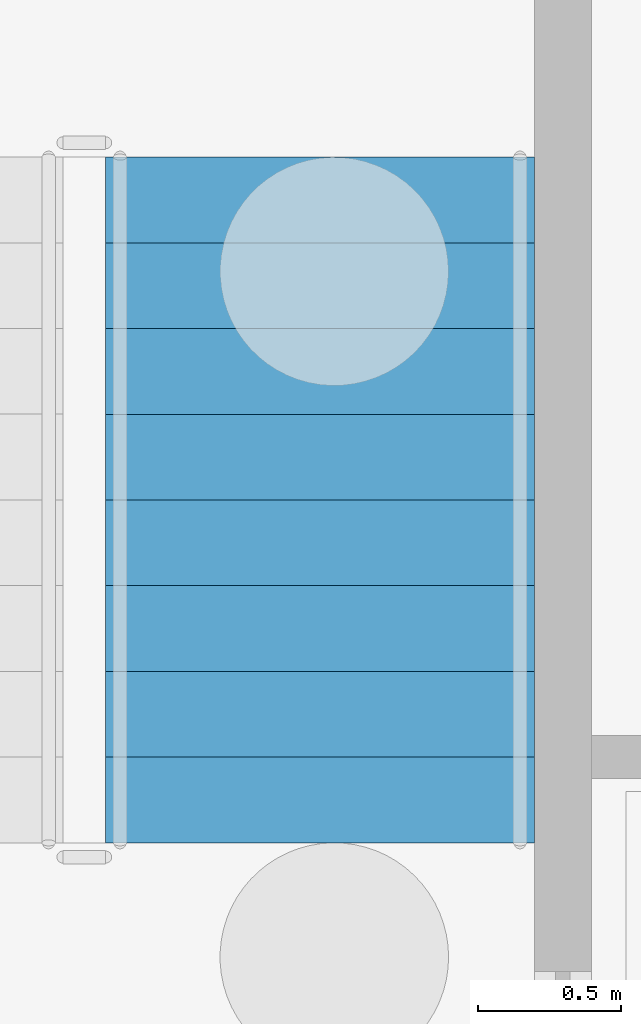
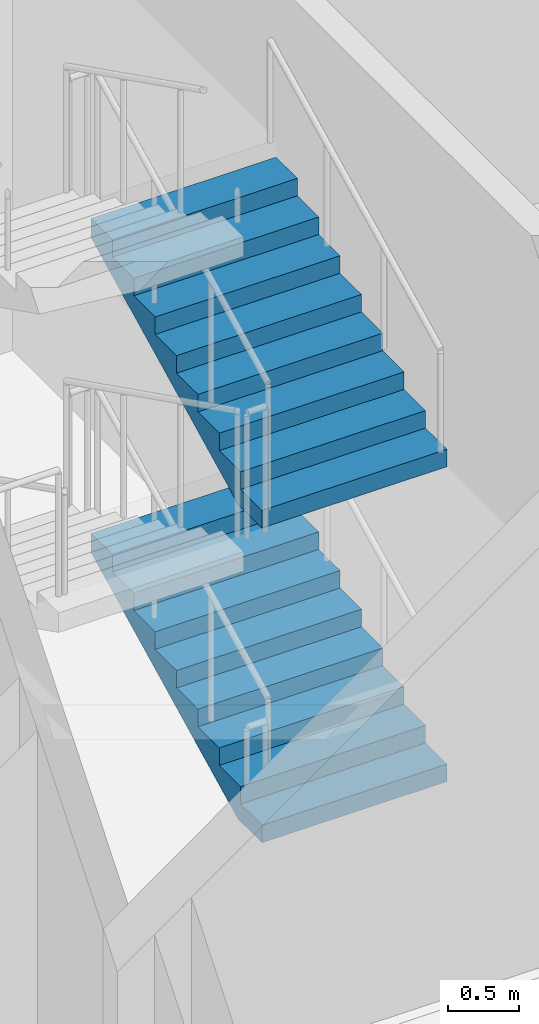
# One storey, part 95 of 129: 2 stair flights, 1 element without a shape of its own.
"""IFC4 building model written with IfcOpenShell, lengths in metres."""

from ifc_helpers import new_model, si_unit, direction, frame, origin, place, context, subcontext, project, spatial, faceted_brep, material, type_object, element, aggregate, save


model = new_model("IFC4")

# Units and contexts
model_context = context("Model", 3, precision=1e-05, world=origin(), true_north=direction((0.0, 1.0)))
body_context = subcontext(model_context, "Body", "Model", "MODEL_VIEW")
ifc_project = project(units=[si_unit("LENGTHUNIT", "METRE"), si_unit("AREAUNIT", "SQUARE_METRE"), si_unit("VOLUMEUNIT", "CUBIC_METRE"), si_unit("PLANEANGLEUNIT", "RADIAN"), si_unit("MASSUNIT", "GRAM", prefix="KILO")], contexts=[model_context])

# Site, building, storey
site_placement = place(None, origin())
site = spatial("IfcSite", under=ifc_project, at=site_placement, CompositionType="ELEMENT")
building_placement = place(site_placement, origin())
building = spatial("IfcBuilding", under=site, at=building_placement, Name="Kiln Court Media Centre", CompositionType="ELEMENT")
storey_placement = place(building_placement, origin())
storey = spatial("IfcBuildingStorey", under=building, at=storey_placement, Name="L00", CompositionType="ELEMENT", Elevation=0.0)

# Stair, stair flights
ifc_material_1 = material(Name="Concrete C40/50", Category="concrete")
stair_type = type_object("IfcStairType", Name="Concrete C40/50 dog-leg stair 1500 wide, 150 riser", PredefinedType="HALF_TURN_STAIR", material=ifc_material_1)
stair_placement = place(storey_placement, origin())
stair = element("IfcStair", 1, at=stair_placement, inside=storey, type_object=stair_type, Name="ST-16 L00", PredefinedType="HALF_TURN_STAIR")
ifc_material_2 = material(Name="Concrete C40/50", Category="concrete")
stair_flight_type = type_object("IfcStairFlightType", Name="Concrete C40/50 stair flight 1500 wide, 150 riser, 300 going", PredefinedType="STRAIGHT", material=ifc_material_2)
stair_flight_1_placement = place(storey_placement, frame((129.25, 18.89990234375, 0.0), z_axis=(0.0, 0.0, 1.0), x_axis=(0.0, 1.0, 0.0)))
stair_flight_1 = element("IfcStairFlight", 2, at=stair_flight_1_placement, type_object=stair_flight_type, Name="L00-ST-5015 flight 5060", NumberOfRisers=9, NumberOfTreads=8, PredefinedType="STRAIGHT", RiserHeight=0.15, TreadLength=0.3, context=body_context, shape_type="Brep", body=[
    faceted_brep([(0.335205078125, -0.75, 0.0), (2.39990234375, -0.75, 1.032470703125), (2.39990234375, -0.75, 1.199951171875), (2.10009765625, -0.75, 1.199951171875), (2.10009765625, -0.75, 1.050048828125), (1.800048828125, -0.75, 1.050048828125), (1.800048828125, -0.75, 0.89990234375), (1.5, -0.75, 0.89990234375), (1.5, -0.75, 0.75), (1.199951171875, -0.75, 0.75), (1.199951171875, -0.75, 0.60009765625), (0.89990234375, -0.75, 0.60009765625), (0.89990234375, -0.75, 0.449951171875), (0.60009765625, -0.75, 0.449951171875), (0.60009765625, -0.75, 0.300048828125), (0.300048828125, -0.75, 0.300048828125), (0.300048828125, -0.75, 0.14990234375), (0.0, -0.75, 0.14990234375), (0.0, -0.75, 0.0), (0.0, 0.75, 0.0), (0.0, 0.75, 0.14990234375), (0.300048828125, 0.75, 0.14990234375), (0.300048828125, 0.75, 0.300048828125), (0.60009765625, 0.75, 0.300048828125), (0.60009765625, 0.75, 0.449951171875), (0.89990234375, 0.75, 0.449951171875), (0.89990234375, 0.75, 0.60009765625), (1.199951171875, 0.75, 0.60009765625), (1.199951171875, 0.75, 0.75), (1.5, 0.75, 0.75), (1.5, 0.75, 0.89990234375), (1.800048828125, 0.75, 0.89990234375), (1.800048828125, 0.75, 1.050048828125), (2.10009765625, 0.75, 1.050048828125), (2.10009765625, 0.75, 1.199951171875), (2.39990234375, 0.75, 1.199951171875), (2.39990234375, 0.75, 1.032470703125), (0.335205078125, 0.75, 0.0), (2.39990234375, 0.10009765625, 1.032470703125), (0.335205078125, 0.10009765625, 0.0), (2.39990234375, 0.080078125, 1.032470703125), (0.335205078125, 0.080078125, 0.0), (2.39990234375, 0.06005859375, 1.032470703125), (0.335205078125, 0.06005859375, 0.0), (2.39990234375, 0.0400390625, 1.032470703125), (0.335205078125, 0.0400390625, 0.0), (2.39990234375, 0.02001953125, 1.032470703125), (0.335205078125, 0.02001953125, 0.0), (2.39990234375, 0.0, 1.032470703125), (0.335205078125, 0.0, 0.0), (2.39990234375, -0.02001953125, 1.032470703125), (0.335205078125, -0.02001953125, 0.0), (2.39990234375, -0.0400390625, 1.032470703125), (0.335205078125, -0.0400390625, 0.0), (2.39990234375, -0.06005859375, 1.032470703125), (0.335205078125, -0.06005859375, 0.0), (2.39990234375, -0.080078125, 1.032470703125), (0.335205078125, -0.080078125, 0.0), (2.39990234375, -0.10009765625, 1.032470703125), (0.335205078125, -0.10009765625, 0.0), (2.39990234375, 0.10009765625, 1.199951171875), (2.39990234375, 0.080078125, 1.199951171875), (2.39990234375, 0.06005859375, 1.199951171875), (2.39990234375, 0.0400390625, 1.199951171875), (2.39990234375, 0.02001953125, 1.199951171875), (2.39990234375, 0.0, 1.199951171875), (2.39990234375, -0.02001953125, 1.199951171875), (2.39990234375, -0.0400390625, 1.199951171875), (2.39990234375, -0.06005859375, 1.199951171875), (2.39990234375, -0.080078125, 1.199951171875), (2.39990234375, -0.10009765625, 1.199951171875), (2.10009765625, 0.10009765625, 1.199951171875), (2.10009765625, 0.080078125, 1.199951171875), (2.10009765625, 0.06005859375, 1.199951171875), (2.10009765625, 0.0400390625, 1.199951171875), (2.10009765625, 0.02001953125, 1.199951171875), (2.10009765625, 0.0, 1.199951171875), (2.10009765625, -0.02001953125, 1.199951171875), (2.10009765625, -0.0400390625, 1.199951171875), (2.10009765625, -0.06005859375, 1.199951171875), (2.10009765625, -0.080078125, 1.199951171875), (2.10009765625, -0.10009765625, 1.199951171875), (2.10009765625, 0.10009765625, 1.050048828125), (2.10009765625, 0.080078125, 1.050048828125), (2.10009765625, 0.06005859375, 1.050048828125), (2.10009765625, 0.0400390625, 1.050048828125), (2.10009765625, 0.02001953125, 1.050048828125), (2.10009765625, 0.0, 1.050048828125), (2.10009765625, -0.02001953125, 1.050048828125), (2.10009765625, -0.0400390625, 1.050048828125), (2.10009765625, -0.06005859375, 1.050048828125), (2.10009765625, -0.080078125, 1.050048828125), (2.10009765625, -0.10009765625, 1.050048828125), (1.800048828125, 0.10009765625, 1.050048828125), (1.800048828125, 0.080078125, 1.050048828125), (1.800048828125, 0.06005859375, 1.050048828125), (1.800048828125, 0.0400390625, 1.050048828125), (1.800048828125, 0.02001953125, 1.050048828125), (1.800048828125, 0.0, 1.050048828125), (1.800048828125, -0.02001953125, 1.050048828125), (1.800048828125, -0.0400390625, 1.050048828125), (1.800048828125, -0.06005859375, 1.050048828125), (1.800048828125, -0.080078125, 1.050048828125), (1.800048828125, -0.10009765625, 1.050048828125), (1.800048828125, 0.10009765625, 0.89990234375), (1.800048828125, 0.080078125, 0.89990234375), (1.800048828125, 0.06005859375, 0.89990234375), (1.800048828125, 0.0400390625, 0.89990234375), (1.800048828125, 0.02001953125, 0.89990234375), (1.800048828125, 0.0, 0.89990234375), (1.800048828125, -0.02001953125, 0.89990234375), (1.800048828125, -0.0400390625, 0.89990234375), (1.800048828125, -0.06005859375, 0.89990234375), (1.800048828125, -0.080078125, 0.89990234375), (1.800048828125, -0.10009765625, 0.89990234375), (1.5, 0.10009765625, 0.89990234375), (1.5, 0.080078125, 0.89990234375), (1.5, 0.06005859375, 0.89990234375), (1.5, 0.0400390625, 0.89990234375), (1.5, 0.02001953125, 0.89990234375), (1.5, 0.0, 0.89990234375), (1.5, -0.02001953125, 0.89990234375), (1.5, -0.0400390625, 0.89990234375), (1.5, -0.06005859375, 0.89990234375), (1.5, -0.080078125, 0.89990234375), (1.5, -0.10009765625, 0.89990234375), (1.5, 0.10009765625, 0.75), (1.5, 0.080078125, 0.75), (1.5, 0.06005859375, 0.75), (1.5, 0.0400390625, 0.75), (1.5, 0.02001953125, 0.75), (1.5, 0.0, 0.75), (1.5, -0.02001953125, 0.75), (1.5, -0.0400390625, 0.75), (1.5, -0.06005859375, 0.75), (1.5, -0.080078125, 0.75), (1.5, -0.10009765625, 0.75), (1.199951171875, 0.10009765625, 0.75), (1.199951171875, 0.080078125, 0.75), (1.199951171875, 0.06005859375, 0.75), (1.199951171875, 0.0400390625, 0.75), (1.199951171875, 0.02001953125, 0.75), (1.199951171875, 0.0, 0.75), (1.199951171875, -0.02001953125, 0.75), (1.199951171875, -0.0400390625, 0.75), (1.199951171875, -0.06005859375, 0.75), (1.199951171875, -0.080078125, 0.75), (1.199951171875, -0.10009765625, 0.75), (1.199951171875, 0.10009765625, 0.60009765625), (1.199951171875, 0.080078125, 0.60009765625), (1.199951171875, 0.06005859375, 0.60009765625), (1.199951171875, 0.0400390625, 0.60009765625), (1.199951171875, 0.02001953125, 0.60009765625), (1.199951171875, 0.0, 0.60009765625), (1.199951171875, -0.02001953125, 0.60009765625), (1.199951171875, -0.0400390625, 0.60009765625), (1.199951171875, -0.06005859375, 0.60009765625), (1.199951171875, -0.080078125, 0.60009765625), (1.199951171875, -0.10009765625, 0.60009765625), (0.89990234375, 0.10009765625, 0.60009765625), (0.89990234375, 0.080078125, 0.60009765625), (0.89990234375, 0.06005859375, 0.60009765625), (0.89990234375, 0.0400390625, 0.60009765625), (0.89990234375, 0.02001953125, 0.60009765625), (0.89990234375, 0.0, 0.60009765625), (0.89990234375, -0.02001953125, 0.60009765625), (0.89990234375, -0.0400390625, 0.60009765625), (0.89990234375, -0.06005859375, 0.60009765625), (0.89990234375, -0.080078125, 0.60009765625), (0.89990234375, -0.10009765625, 0.60009765625), (0.89990234375, 0.10009765625, 0.449951171875), (0.89990234375, 0.080078125, 0.449951171875), (0.89990234375, 0.06005859375, 0.449951171875), (0.89990234375, 0.0400390625, 0.449951171875), (0.89990234375, 0.02001953125, 0.449951171875), (0.89990234375, 0.0, 0.449951171875), (0.89990234375, -0.02001953125, 0.449951171875), (0.89990234375, -0.0400390625, 0.449951171875), (0.89990234375, -0.06005859375, 0.449951171875), (0.89990234375, -0.080078125, 0.449951171875), (0.89990234375, -0.10009765625, 0.449951171875), (0.60009765625, 0.10009765625, 0.449951171875), (0.60009765625, 0.080078125, 0.449951171875), (0.60009765625, 0.06005859375, 0.449951171875), (0.60009765625, 0.0400390625, 0.449951171875), (0.60009765625, 0.02001953125, 0.449951171875), (0.60009765625, 0.0, 0.449951171875), (0.60009765625, -0.02001953125, 0.449951171875), (0.60009765625, -0.0400390625, 0.449951171875), (0.60009765625, -0.06005859375, 0.449951171875), (0.60009765625, -0.080078125, 0.449951171875), (0.60009765625, -0.10009765625, 0.449951171875), (0.60009765625, 0.10009765625, 0.300048828125), (0.60009765625, 0.080078125, 0.300048828125), (0.60009765625, 0.06005859375, 0.300048828125), (0.60009765625, 0.0400390625, 0.300048828125), (0.60009765625, 0.02001953125, 0.300048828125), (0.60009765625, 0.0, 0.300048828125), (0.60009765625, -0.02001953125, 0.300048828125), (0.60009765625, -0.0400390625, 0.300048828125), (0.60009765625, -0.06005859375, 0.300048828125), (0.60009765625, -0.080078125, 0.300048828125), (0.60009765625, -0.10009765625, 0.300048828125), (0.300048828125, 0.10009765625, 0.300048828125), (0.300048828125, 0.080078125, 0.300048828125), (0.300048828125, 0.06005859375, 0.300048828125), (0.300048828125, 0.0400390625, 0.300048828125), (0.300048828125, 0.02001953125, 0.300048828125), (0.300048828125, 0.0, 0.300048828125), (0.300048828125, -0.02001953125, 0.300048828125), (0.300048828125, -0.0400390625, 0.300048828125), (0.300048828125, -0.06005859375, 0.300048828125), (0.300048828125, -0.080078125, 0.300048828125), (0.300048828125, -0.10009765625, 0.300048828125), (0.300048828125, 0.10009765625, 0.14990234375), (0.300048828125, 0.080078125, 0.14990234375), (0.300048828125, 0.06005859375, 0.14990234375), (0.300048828125, 0.0400390625, 0.14990234375), (0.300048828125, 0.02001953125, 0.14990234375), (0.300048828125, 0.0, 0.14990234375), (0.300048828125, -0.02001953125, 0.14990234375), (0.300048828125, -0.0400390625, 0.14990234375), (0.300048828125, -0.06005859375, 0.14990234375), (0.300048828125, -0.080078125, 0.14990234375), (0.300048828125, -0.10009765625, 0.14990234375), (0.0, 0.10009765625, 0.14990234375), (0.0, 0.080078125, 0.14990234375), (0.0, 0.06005859375, 0.14990234375), (0.0, 0.0400390625, 0.14990234375), (0.0, 0.02001953125, 0.14990234375), (0.0, 0.0, 0.14990234375), (0.0, -0.02001953125, 0.14990234375), (0.0, -0.0400390625, 0.14990234375), (0.0, -0.06005859375, 0.14990234375), (0.0, -0.080078125, 0.14990234375), (0.0, -0.10009765625, 0.14990234375), (0.0, 0.10009765625, 0.0), (0.0, 0.080078125, 0.0), (0.0, 0.06005859375, 0.0), (0.0, 0.0400390625, 0.0), (0.0, 0.02001953125, 0.0), (0.0, 0.0, 0.0), (0.0, -0.02001953125, 0.0), (0.0, -0.0400390625, 0.0), (0.0, -0.06005859375, 0.0), (0.0, -0.080078125, 0.0), (0.0, -0.10009765625, 0.0)], [[[0, 1, 2, 3, 4, 5, 6, 7, 8, 9, 10, 11, 12, 13, 14, 15, 16, 17, 18]], [[19, 20, 21, 22, 23, 24, 25, 26, 27, 28, 29, 30, 31, 32, 33, 34, 35, 36, 37]], [[37, 36, 38, 39]], [[39, 38, 40, 41]], [[41, 40, 42, 43]], [[43, 42, 44, 45]], [[45, 44, 46, 47]], [[47, 46, 48, 49]], [[49, 48, 50, 51]], [[51, 50, 52, 53]], [[53, 52, 54, 55]], [[55, 54, 56, 57]], [[57, 56, 58, 59]], [[59, 58, 1, 0]], [[36, 35, 60, 38]], [[38, 60, 61, 40]], [[40, 61, 62, 42]], [[42, 62, 63, 44]], [[44, 63, 64, 46]], [[46, 64, 65, 48]], [[48, 65, 66, 50]], [[50, 66, 67, 52]], [[52, 67, 68, 54]], [[54, 68, 69, 56]], [[56, 69, 70, 58]], [[58, 70, 2, 1]], [[35, 34, 71, 60]], [[60, 71, 72, 61]], [[61, 72, 73, 62]], [[62, 73, 74, 63]], [[63, 74, 75, 64]], [[64, 75, 76, 65]], [[65, 76, 77, 66]], [[66, 77, 78, 67]], [[67, 78, 79, 68]], [[68, 79, 80, 69]], [[69, 80, 81, 70]], [[70, 81, 3, 2]], [[34, 33, 82, 71]], [[71, 82, 83, 72]], [[72, 83, 84, 73]], [[73, 84, 85, 74]], [[74, 85, 86, 75]], [[75, 86, 87, 76]], [[76, 87, 88, 77]], [[77, 88, 89, 78]], [[78, 89, 90, 79]], [[79, 90, 91, 80]], [[80, 91, 92, 81]], [[81, 92, 4, 3]], [[33, 32, 93, 82]], [[82, 93, 94, 83]], [[83, 94, 95, 84]], [[84, 95, 96, 85]], [[85, 96, 97, 86]], [[86, 97, 98, 87]], [[87, 98, 99, 88]], [[88, 99, 100, 89]], [[89, 100, 101, 90]], [[90, 101, 102, 91]], [[91, 102, 103, 92]], [[92, 103, 5, 4]], [[32, 31, 104, 93]], [[93, 104, 105, 94]], [[94, 105, 106, 95]], [[95, 106, 107, 96]], [[96, 107, 108, 97]], [[97, 108, 109, 98]], [[98, 109, 110, 99]], [[99, 110, 111, 100]], [[100, 111, 112, 101]], [[101, 112, 113, 102]], [[102, 113, 114, 103]], [[103, 114, 6, 5]], [[31, 30, 115, 104]], [[104, 115, 116, 105]], [[105, 116, 117, 106]], [[106, 117, 118, 107]], [[107, 118, 119, 108]], [[108, 119, 120, 109]], [[109, 120, 121, 110]], [[110, 121, 122, 111]], [[111, 122, 123, 112]], [[112, 123, 124, 113]], [[113, 124, 125, 114]], [[114, 125, 7, 6]], [[30, 29, 126, 115]], [[115, 126, 127, 116]], [[116, 127, 128, 117]], [[117, 128, 129, 118]], [[118, 129, 130, 119]], [[119, 130, 131, 120]], [[120, 131, 132, 121]], [[121, 132, 133, 122]], [[122, 133, 134, 123]], [[123, 134, 135, 124]], [[124, 135, 136, 125]], [[125, 136, 8, 7]], [[29, 28, 137, 126]], [[126, 137, 138, 127]], [[127, 138, 139, 128]], [[128, 139, 140, 129]], [[129, 140, 141, 130]], [[130, 141, 142, 131]], [[131, 142, 143, 132]], [[132, 143, 144, 133]], [[133, 144, 145, 134]], [[134, 145, 146, 135]], [[135, 146, 147, 136]], [[136, 147, 9, 8]], [[28, 27, 148, 137]], [[137, 148, 149, 138]], [[138, 149, 150, 139]], [[139, 150, 151, 140]], [[140, 151, 152, 141]], [[141, 152, 153, 142]], [[142, 153, 154, 143]], [[143, 154, 155, 144]], [[144, 155, 156, 145]], [[145, 156, 157, 146]], [[146, 157, 158, 147]], [[147, 158, 10, 9]], [[27, 26, 159, 148]], [[148, 159, 160, 149]], [[149, 160, 161, 150]], [[150, 161, 162, 151]], [[151, 162, 163, 152]], [[152, 163, 164, 153]], [[153, 164, 165, 154]], [[154, 165, 166, 155]], [[155, 166, 167, 156]], [[156, 167, 168, 157]], [[157, 168, 169, 158]], [[158, 169, 11, 10]], [[26, 25, 170, 159]], [[159, 170, 171, 160]], [[160, 171, 172, 161]], [[161, 172, 173, 162]], [[162, 173, 174, 163]], [[163, 174, 175, 164]], [[164, 175, 176, 165]], [[165, 176, 177, 166]], [[166, 177, 178, 167]], [[167, 178, 179, 168]], [[168, 179, 180, 169]], [[169, 180, 12, 11]], [[25, 24, 181, 170]], [[170, 181, 182, 171]], [[171, 182, 183, 172]], [[172, 183, 184, 173]], [[173, 184, 185, 174]], [[174, 185, 186, 175]], [[175, 186, 187, 176]], [[176, 187, 188, 177]], [[177, 188, 189, 178]], [[178, 189, 190, 179]], [[179, 190, 191, 180]], [[180, 191, 13, 12]], [[24, 23, 192, 181]], [[181, 192, 193, 182]], [[182, 193, 194, 183]], [[183, 194, 195, 184]], [[184, 195, 196, 185]], [[185, 196, 197, 186]], [[186, 197, 198, 187]], [[187, 198, 199, 188]], [[188, 199, 200, 189]], [[189, 200, 201, 190]], [[190, 201, 202, 191]], [[191, 202, 14, 13]], [[23, 22, 203, 192]], [[192, 203, 204, 193]], [[193, 204, 205, 194]], [[194, 205, 206, 195]], [[195, 206, 207, 196]], [[196, 207, 208, 197]], [[197, 208, 209, 198]], [[198, 209, 210, 199]], [[199, 210, 211, 200]], [[200, 211, 212, 201]], [[201, 212, 213, 202]], [[202, 213, 15, 14]], [[22, 21, 214, 203]], [[203, 214, 215, 204]], [[204, 215, 216, 205]], [[205, 216, 217, 206]], [[206, 217, 218, 207]], [[207, 218, 219, 208]], [[208, 219, 220, 209]], [[209, 220, 221, 210]], [[210, 221, 222, 211]], [[211, 222, 223, 212]], [[212, 223, 224, 213]], [[213, 224, 16, 15]], [[21, 20, 225, 214]], [[214, 225, 226, 215]], [[215, 226, 227, 216]], [[216, 227, 228, 217]], [[217, 228, 229, 218]], [[218, 229, 230, 219]], [[219, 230, 231, 220]], [[220, 231, 232, 221]], [[221, 232, 233, 222]], [[222, 233, 234, 223]], [[223, 234, 235, 224]], [[224, 235, 17, 16]], [[20, 19, 236, 225]], [[225, 236, 237, 226]], [[226, 237, 238, 227]], [[227, 238, 239, 228]], [[228, 239, 240, 229]], [[229, 240, 241, 230]], [[230, 241, 242, 231]], [[231, 242, 243, 232]], [[232, 243, 244, 233]], [[233, 244, 245, 234]], [[234, 245, 246, 235]], [[235, 246, 18, 17]], [[19, 37, 39, 236]], [[236, 39, 41, 237]], [[237, 41, 43, 238]], [[238, 43, 45, 239]], [[239, 45, 47, 240]], [[240, 47, 49, 241]], [[241, 49, 51, 242]], [[242, 51, 53, 243]], [[243, 53, 55, 244]], [[244, 55, 57, 245]], [[245, 57, 59, 246]], [[246, 59, 0, 18]]]),
])
stair_flight_2_placement = place(storey_placement, frame((129.25, 18.89990234375, 2.699951171875), z_axis=(0.0, 0.0, 1.0), x_axis=(0.0, 1.0, 0.0)))
stair_flight_2 = element("IfcStairFlight", 3, at=stair_flight_2_placement, type_object=stair_flight_type, Name="L00-ST-5015 flight 5062", NumberOfRisers=9, NumberOfTreads=8, PredefinedType="STRAIGHT", RiserHeight=0.15, TreadLength=0.3, context=body_context, shape_type="Brep", body=[
    faceted_brep([(0.335205078125, -0.75, 0.0), (2.39990234375, -0.75, 1.032470703125), (2.39990234375, -0.75, 1.199951171875), (2.10009765625, -0.75, 1.199951171875), (2.10009765625, -0.75, 1.050048828125), (1.800048828125, -0.75, 1.050048828125), (1.800048828125, -0.75, 0.89990234375), (1.5, -0.75, 0.89990234375), (1.5, -0.75, 0.75), (1.199951171875, -0.75, 0.75), (1.199951171875, -0.75, 0.60009765625), (0.89990234375, -0.75, 0.60009765625), (0.89990234375, -0.75, 0.449951171875), (0.60009765625, -0.75, 0.449951171875), (0.60009765625, -0.75, 0.300048828125), (0.300048828125, -0.75, 0.300048828125), (0.300048828125, -0.75, 0.14990234375), (0.0, -0.75, 0.14990234375), (0.0, -0.75, 0.0), (0.0, 0.75, 0.0), (0.0, 0.75, 0.14990234375), (0.300048828125, 0.75, 0.14990234375), (0.300048828125, 0.75, 0.300048828125), (0.60009765625, 0.75, 0.300048828125), (0.60009765625, 0.75, 0.449951171875), (0.89990234375, 0.75, 0.449951171875), (0.89990234375, 0.75, 0.60009765625), (1.199951171875, 0.75, 0.60009765625), (1.199951171875, 0.75, 0.75), (1.5, 0.75, 0.75), (1.5, 0.75, 0.89990234375), (1.800048828125, 0.75, 0.89990234375), (1.800048828125, 0.75, 1.050048828125), (2.10009765625, 0.75, 1.050048828125), (2.10009765625, 0.75, 1.199951171875), (2.39990234375, 0.75, 1.199951171875), (2.39990234375, 0.75, 1.032470703125), (0.335205078125, 0.75, 0.0), (2.39990234375, 0.10009765625, 1.032470703125), (0.335205078125, 0.10009765625, 0.0), (2.39990234375, 0.080078125, 1.032470703125), (0.335205078125, 0.080078125, 0.0), (2.39990234375, 0.06005859375, 1.032470703125), (0.335205078125, 0.06005859375, 0.0), (2.39990234375, 0.0400390625, 1.032470703125), (0.335205078125, 0.0400390625, 0.0), (2.39990234375, 0.02001953125, 1.032470703125), (0.335205078125, 0.02001953125, 0.0), (2.39990234375, 0.0, 1.032470703125), (0.335205078125, 0.0, 0.0), (2.39990234375, -0.02001953125, 1.032470703125), (0.335205078125, -0.02001953125, 0.0), (2.39990234375, -0.0400390625, 1.032470703125), (0.335205078125, -0.0400390625, 0.0), (2.39990234375, -0.06005859375, 1.032470703125), (0.335205078125, -0.06005859375, 0.0), (2.39990234375, -0.080078125, 1.032470703125), (0.335205078125, -0.080078125, 0.0), (2.39990234375, -0.10009765625, 1.032470703125), (0.335205078125, -0.10009765625, 0.0), (2.39990234375, 0.10009765625, 1.199951171875), (2.39990234375, 0.080078125, 1.199951171875), (2.39990234375, 0.06005859375, 1.199951171875), (2.39990234375, 0.0400390625, 1.199951171875), (2.39990234375, 0.02001953125, 1.199951171875), (2.39990234375, 0.0, 1.199951171875), (2.39990234375, -0.02001953125, 1.199951171875), (2.39990234375, -0.0400390625, 1.199951171875), (2.39990234375, -0.06005859375, 1.199951171875), (2.39990234375, -0.080078125, 1.199951171875), (2.39990234375, -0.10009765625, 1.199951171875), (2.10009765625, 0.10009765625, 1.199951171875), (2.10009765625, 0.080078125, 1.199951171875), (2.10009765625, 0.06005859375, 1.199951171875), (2.10009765625, 0.0400390625, 1.199951171875), (2.10009765625, 0.02001953125, 1.199951171875), (2.10009765625, 0.0, 1.199951171875), (2.10009765625, -0.02001953125, 1.199951171875), (2.10009765625, -0.0400390625, 1.199951171875), (2.10009765625, -0.06005859375, 1.199951171875), (2.10009765625, -0.080078125, 1.199951171875), (2.10009765625, -0.10009765625, 1.199951171875), (2.10009765625, 0.10009765625, 1.050048828125), (2.10009765625, 0.080078125, 1.050048828125), (2.10009765625, 0.06005859375, 1.050048828125), (2.10009765625, 0.0400390625, 1.050048828125), (2.10009765625, 0.02001953125, 1.050048828125), (2.10009765625, 0.0, 1.050048828125), (2.10009765625, -0.02001953125, 1.050048828125), (2.10009765625, -0.0400390625, 1.050048828125), (2.10009765625, -0.06005859375, 1.050048828125), (2.10009765625, -0.080078125, 1.050048828125), (2.10009765625, -0.10009765625, 1.050048828125), (1.800048828125, 0.10009765625, 1.050048828125), (1.800048828125, 0.080078125, 1.050048828125), (1.800048828125, 0.06005859375, 1.050048828125), (1.800048828125, 0.0400390625, 1.050048828125), (1.800048828125, 0.02001953125, 1.050048828125), (1.800048828125, 0.0, 1.050048828125), (1.800048828125, -0.02001953125, 1.050048828125), (1.800048828125, -0.0400390625, 1.050048828125), (1.800048828125, -0.06005859375, 1.050048828125), (1.800048828125, -0.080078125, 1.050048828125), (1.800048828125, -0.10009765625, 1.050048828125), (1.800048828125, 0.10009765625, 0.89990234375), (1.800048828125, 0.080078125, 0.89990234375), (1.800048828125, 0.06005859375, 0.89990234375), (1.800048828125, 0.0400390625, 0.89990234375), (1.800048828125, 0.02001953125, 0.89990234375), (1.800048828125, 0.0, 0.89990234375), (1.800048828125, -0.02001953125, 0.89990234375), (1.800048828125, -0.0400390625, 0.89990234375), (1.800048828125, -0.06005859375, 0.89990234375), (1.800048828125, -0.080078125, 0.89990234375), (1.800048828125, -0.10009765625, 0.89990234375), (1.5, 0.10009765625, 0.89990234375), (1.5, 0.080078125, 0.89990234375), (1.5, 0.06005859375, 0.89990234375), (1.5, 0.0400390625, 0.89990234375), (1.5, 0.02001953125, 0.89990234375), (1.5, 0.0, 0.89990234375), (1.5, -0.02001953125, 0.89990234375), (1.5, -0.0400390625, 0.89990234375), (1.5, -0.06005859375, 0.89990234375), (1.5, -0.080078125, 0.89990234375), (1.5, -0.10009765625, 0.89990234375), (1.5, 0.10009765625, 0.75), (1.5, 0.080078125, 0.75), (1.5, 0.06005859375, 0.75), (1.5, 0.0400390625, 0.75), (1.5, 0.02001953125, 0.75), (1.5, 0.0, 0.75), (1.5, -0.02001953125, 0.75), (1.5, -0.0400390625, 0.75), (1.5, -0.06005859375, 0.75), (1.5, -0.080078125, 0.75), (1.5, -0.10009765625, 0.75), (1.199951171875, 0.10009765625, 0.75), (1.199951171875, 0.080078125, 0.75), (1.199951171875, 0.06005859375, 0.75), (1.199951171875, 0.0400390625, 0.75), (1.199951171875, 0.02001953125, 0.75), (1.199951171875, 0.0, 0.75), (1.199951171875, -0.02001953125, 0.75), (1.199951171875, -0.0400390625, 0.75), (1.199951171875, -0.06005859375, 0.75), (1.199951171875, -0.080078125, 0.75), (1.199951171875, -0.10009765625, 0.75), (1.199951171875, 0.10009765625, 0.60009765625), (1.199951171875, 0.080078125, 0.60009765625), (1.199951171875, 0.06005859375, 0.60009765625), (1.199951171875, 0.0400390625, 0.60009765625), (1.199951171875, 0.02001953125, 0.60009765625), (1.199951171875, 0.0, 0.60009765625), (1.199951171875, -0.02001953125, 0.60009765625), (1.199951171875, -0.0400390625, 0.60009765625), (1.199951171875, -0.06005859375, 0.60009765625), (1.199951171875, -0.080078125, 0.60009765625), (1.199951171875, -0.10009765625, 0.60009765625), (0.89990234375, 0.10009765625, 0.60009765625), (0.89990234375, 0.080078125, 0.60009765625), (0.89990234375, 0.06005859375, 0.60009765625), (0.89990234375, 0.0400390625, 0.60009765625), (0.89990234375, 0.02001953125, 0.60009765625), (0.89990234375, 0.0, 0.60009765625), (0.89990234375, -0.02001953125, 0.60009765625), (0.89990234375, -0.0400390625, 0.60009765625), (0.89990234375, -0.06005859375, 0.60009765625), (0.89990234375, -0.080078125, 0.60009765625), (0.89990234375, -0.10009765625, 0.60009765625), (0.89990234375, 0.10009765625, 0.449951171875), (0.89990234375, 0.080078125, 0.449951171875), (0.89990234375, 0.06005859375, 0.449951171875), (0.89990234375, 0.0400390625, 0.449951171875), (0.89990234375, 0.02001953125, 0.449951171875), (0.89990234375, 0.0, 0.449951171875), (0.89990234375, -0.02001953125, 0.449951171875), (0.89990234375, -0.0400390625, 0.449951171875), (0.89990234375, -0.06005859375, 0.449951171875), (0.89990234375, -0.080078125, 0.449951171875), (0.89990234375, -0.10009765625, 0.449951171875), (0.60009765625, 0.10009765625, 0.449951171875), (0.60009765625, 0.080078125, 0.449951171875), (0.60009765625, 0.06005859375, 0.449951171875), (0.60009765625, 0.0400390625, 0.449951171875), (0.60009765625, 0.02001953125, 0.449951171875), (0.60009765625, 0.0, 0.449951171875), (0.60009765625, -0.02001953125, 0.449951171875), (0.60009765625, -0.0400390625, 0.449951171875), (0.60009765625, -0.06005859375, 0.449951171875), (0.60009765625, -0.080078125, 0.449951171875), (0.60009765625, -0.10009765625, 0.449951171875), (0.60009765625, 0.10009765625, 0.300048828125), (0.60009765625, 0.080078125, 0.300048828125), (0.60009765625, 0.06005859375, 0.300048828125), (0.60009765625, 0.0400390625, 0.300048828125), (0.60009765625, 0.02001953125, 0.300048828125), (0.60009765625, 0.0, 0.300048828125), (0.60009765625, -0.02001953125, 0.300048828125), (0.60009765625, -0.0400390625, 0.300048828125), (0.60009765625, -0.06005859375, 0.300048828125), (0.60009765625, -0.080078125, 0.300048828125), (0.60009765625, -0.10009765625, 0.300048828125), (0.300048828125, 0.10009765625, 0.300048828125), (0.300048828125, 0.080078125, 0.300048828125), (0.300048828125, 0.06005859375, 0.300048828125), (0.300048828125, 0.0400390625, 0.300048828125), (0.300048828125, 0.02001953125, 0.300048828125), (0.300048828125, 0.0, 0.300048828125), (0.300048828125, -0.02001953125, 0.300048828125), (0.300048828125, -0.0400390625, 0.300048828125), (0.300048828125, -0.06005859375, 0.300048828125), (0.300048828125, -0.080078125, 0.300048828125), (0.300048828125, -0.10009765625, 0.300048828125), (0.300048828125, 0.10009765625, 0.14990234375), (0.300048828125, 0.080078125, 0.14990234375), (0.300048828125, 0.06005859375, 0.14990234375), (0.300048828125, 0.0400390625, 0.14990234375), (0.300048828125, 0.02001953125, 0.14990234375), (0.300048828125, 0.0, 0.14990234375), (0.300048828125, -0.02001953125, 0.14990234375), (0.300048828125, -0.0400390625, 0.14990234375), (0.300048828125, -0.06005859375, 0.14990234375), (0.300048828125, -0.080078125, 0.14990234375), (0.300048828125, -0.10009765625, 0.14990234375), (0.0, 0.10009765625, 0.14990234375), (0.0, 0.080078125, 0.14990234375), (0.0, 0.06005859375, 0.14990234375), (0.0, 0.0400390625, 0.14990234375), (0.0, 0.02001953125, 0.14990234375), (0.0, 0.0, 0.14990234375), (0.0, -0.02001953125, 0.14990234375), (0.0, -0.0400390625, 0.14990234375), (0.0, -0.06005859375, 0.14990234375), (0.0, -0.080078125, 0.14990234375), (0.0, -0.10009765625, 0.14990234375), (0.0, 0.10009765625, 0.0), (0.0, 0.080078125, 0.0), (0.0, 0.06005859375, 0.0), (0.0, 0.0400390625, 0.0), (0.0, 0.02001953125, 0.0), (0.0, 0.0, 0.0), (0.0, -0.02001953125, 0.0), (0.0, -0.0400390625, 0.0), (0.0, -0.06005859375, 0.0), (0.0, -0.080078125, 0.0), (0.0, -0.10009765625, 0.0)], [[[0, 1, 2, 3, 4, 5, 6, 7, 8, 9, 10, 11, 12, 13, 14, 15, 16, 17, 18]], [[19, 20, 21, 22, 23, 24, 25, 26, 27, 28, 29, 30, 31, 32, 33, 34, 35, 36, 37]], [[37, 36, 38, 39]], [[39, 38, 40, 41]], [[41, 40, 42, 43]], [[43, 42, 44, 45]], [[45, 44, 46, 47]], [[47, 46, 48, 49]], [[49, 48, 50, 51]], [[51, 50, 52, 53]], [[53, 52, 54, 55]], [[55, 54, 56, 57]], [[57, 56, 58, 59]], [[59, 58, 1, 0]], [[36, 35, 60, 38]], [[38, 60, 61, 40]], [[40, 61, 62, 42]], [[42, 62, 63, 44]], [[44, 63, 64, 46]], [[46, 64, 65, 48]], [[48, 65, 66, 50]], [[50, 66, 67, 52]], [[52, 67, 68, 54]], [[54, 68, 69, 56]], [[56, 69, 70, 58]], [[58, 70, 2, 1]], [[35, 34, 71, 60]], [[60, 71, 72, 61]], [[61, 72, 73, 62]], [[62, 73, 74, 63]], [[63, 74, 75, 64]], [[64, 75, 76, 65]], [[65, 76, 77, 66]], [[66, 77, 78, 67]], [[67, 78, 79, 68]], [[68, 79, 80, 69]], [[69, 80, 81, 70]], [[70, 81, 3, 2]], [[34, 33, 82, 71]], [[71, 82, 83, 72]], [[72, 83, 84, 73]], [[73, 84, 85, 74]], [[74, 85, 86, 75]], [[75, 86, 87, 76]], [[76, 87, 88, 77]], [[77, 88, 89, 78]], [[78, 89, 90, 79]], [[79, 90, 91, 80]], [[80, 91, 92, 81]], [[81, 92, 4, 3]], [[33, 32, 93, 82]], [[82, 93, 94, 83]], [[83, 94, 95, 84]], [[84, 95, 96, 85]], [[85, 96, 97, 86]], [[86, 97, 98, 87]], [[87, 98, 99, 88]], [[88, 99, 100, 89]], [[89, 100, 101, 90]], [[90, 101, 102, 91]], [[91, 102, 103, 92]], [[92, 103, 5, 4]], [[32, 31, 104, 93]], [[93, 104, 105, 94]], [[94, 105, 106, 95]], [[95, 106, 107, 96]], [[96, 107, 108, 97]], [[97, 108, 109, 98]], [[98, 109, 110, 99]], [[99, 110, 111, 100]], [[100, 111, 112, 101]], [[101, 112, 113, 102]], [[102, 113, 114, 103]], [[103, 114, 6, 5]], [[31, 30, 115, 104]], [[104, 115, 116, 105]], [[105, 116, 117, 106]], [[106, 117, 118, 107]], [[107, 118, 119, 108]], [[108, 119, 120, 109]], [[109, 120, 121, 110]], [[110, 121, 122, 111]], [[111, 122, 123, 112]], [[112, 123, 124, 113]], [[113, 124, 125, 114]], [[114, 125, 7, 6]], [[30, 29, 126, 115]], [[115, 126, 127, 116]], [[116, 127, 128, 117]], [[117, 128, 129, 118]], [[118, 129, 130, 119]], [[119, 130, 131, 120]], [[120, 131, 132, 121]], [[121, 132, 133, 122]], [[122, 133, 134, 123]], [[123, 134, 135, 124]], [[124, 135, 136, 125]], [[125, 136, 8, 7]], [[29, 28, 137, 126]], [[126, 137, 138, 127]], [[127, 138, 139, 128]], [[128, 139, 140, 129]], [[129, 140, 141, 130]], [[130, 141, 142, 131]], [[131, 142, 143, 132]], [[132, 143, 144, 133]], [[133, 144, 145, 134]], [[134, 145, 146, 135]], [[135, 146, 147, 136]], [[136, 147, 9, 8]], [[28, 27, 148, 137]], [[137, 148, 149, 138]], [[138, 149, 150, 139]], [[139, 150, 151, 140]], [[140, 151, 152, 141]], [[141, 152, 153, 142]], [[142, 153, 154, 143]], [[143, 154, 155, 144]], [[144, 155, 156, 145]], [[145, 156, 157, 146]], [[146, 157, 158, 147]], [[147, 158, 10, 9]], [[27, 26, 159, 148]], [[148, 159, 160, 149]], [[149, 160, 161, 150]], [[150, 161, 162, 151]], [[151, 162, 163, 152]], [[152, 163, 164, 153]], [[153, 164, 165, 154]], [[154, 165, 166, 155]], [[155, 166, 167, 156]], [[156, 167, 168, 157]], [[157, 168, 169, 158]], [[158, 169, 11, 10]], [[26, 25, 170, 159]], [[159, 170, 171, 160]], [[160, 171, 172, 161]], [[161, 172, 173, 162]], [[162, 173, 174, 163]], [[163, 174, 175, 164]], [[164, 175, 176, 165]], [[165, 176, 177, 166]], [[166, 177, 178, 167]], [[167, 178, 179, 168]], [[168, 179, 180, 169]], [[169, 180, 12, 11]], [[25, 24, 181, 170]], [[170, 181, 182, 171]], [[171, 182, 183, 172]], [[172, 183, 184, 173]], [[173, 184, 185, 174]], [[174, 185, 186, 175]], [[175, 186, 187, 176]], [[176, 187, 188, 177]], [[177, 188, 189, 178]], [[178, 189, 190, 179]], [[179, 190, 191, 180]], [[180, 191, 13, 12]], [[24, 23, 192, 181]], [[181, 192, 193, 182]], [[182, 193, 194, 183]], [[183, 194, 195, 184]], [[184, 195, 196, 185]], [[185, 196, 197, 186]], [[186, 197, 198, 187]], [[187, 198, 199, 188]], [[188, 199, 200, 189]], [[189, 200, 201, 190]], [[190, 201, 202, 191]], [[191, 202, 14, 13]], [[23, 22, 203, 192]], [[192, 203, 204, 193]], [[193, 204, 205, 194]], [[194, 205, 206, 195]], [[195, 206, 207, 196]], [[196, 207, 208, 197]], [[197, 208, 209, 198]], [[198, 209, 210, 199]], [[199, 210, 211, 200]], [[200, 211, 212, 201]], [[201, 212, 213, 202]], [[202, 213, 15, 14]], [[22, 21, 214, 203]], [[203, 214, 215, 204]], [[204, 215, 216, 205]], [[205, 216, 217, 206]], [[206, 217, 218, 207]], [[207, 218, 219, 208]], [[208, 219, 220, 209]], [[209, 220, 221, 210]], [[210, 221, 222, 211]], [[211, 222, 223, 212]], [[212, 223, 224, 213]], [[213, 224, 16, 15]], [[21, 20, 225, 214]], [[214, 225, 226, 215]], [[215, 226, 227, 216]], [[216, 227, 228, 217]], [[217, 228, 229, 218]], [[218, 229, 230, 219]], [[219, 230, 231, 220]], [[220, 231, 232, 221]], [[221, 232, 233, 222]], [[222, 233, 234, 223]], [[223, 234, 235, 224]], [[224, 235, 17, 16]], [[20, 19, 236, 225]], [[225, 236, 237, 226]], [[226, 237, 238, 227]], [[227, 238, 239, 228]], [[228, 239, 240, 229]], [[229, 240, 241, 230]], [[230, 241, 242, 231]], [[231, 242, 243, 232]], [[232, 243, 244, 233]], [[233, 244, 245, 234]], [[234, 245, 246, 235]], [[235, 246, 18, 17]], [[19, 37, 39, 236]], [[236, 39, 41, 237]], [[237, 41, 43, 238]], [[238, 43, 45, 239]], [[239, 45, 47, 240]], [[240, 47, 49, 241]], [[241, 49, 51, 242]], [[242, 51, 53, 243]], [[243, 53, 55, 244]], [[244, 55, 57, 245]], [[245, 57, 59, 246]], [[246, 59, 0, 18]]]),
])
aggregate(stair, [stair_flight_1, stair_flight_2])

save(model, "model.ifc")
